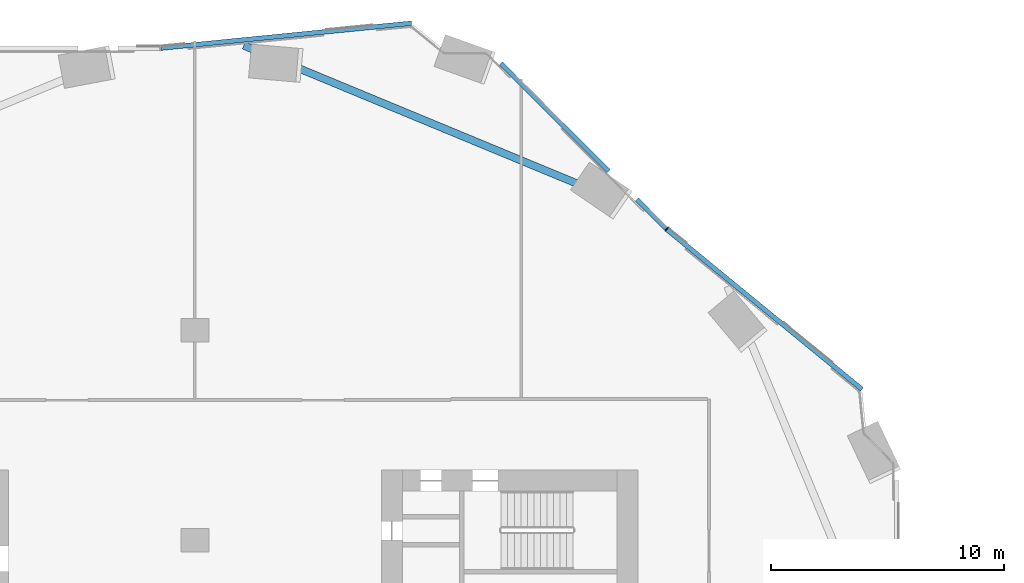
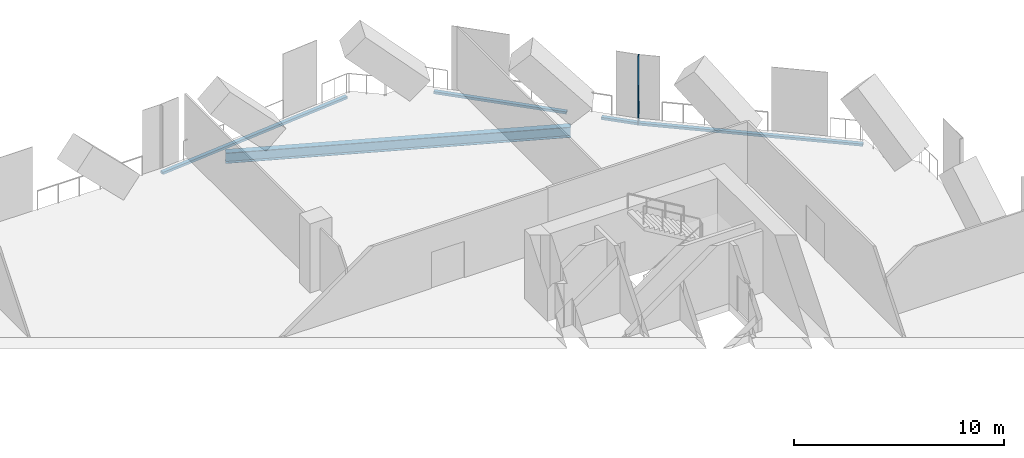
# One storey, part 14 of 32: 5 members, 1 beam, 3 elements without a shape of their own.
"""IFC4 building model written with IfcOpenShell, lengths in metres."""

from ifc_helpers import new_model, si_unit, direction, frame, origin, origin_2d, place, context, subcontext, project, spatial, rectangle, i_section, extrude, material, material_profile, profile_set, type_object, element, aggregate, save


model = new_model("IFC4")

# Units and contexts
model_context = context("Model", 3, precision=1e-05, world=origin(), true_north=direction((0.0, 1.0)))
body_context = subcontext(model_context, "Body", "Model", "MODEL_VIEW")
ifc_project = project(units=[si_unit("LENGTHUNIT", "METRE"), si_unit("AREAUNIT", "SQUARE_METRE"), si_unit("VOLUMEUNIT", "CUBIC_METRE"), si_unit("PLANEANGLEUNIT", "RADIAN"), si_unit("MASSUNIT", "GRAM", prefix="KILO")], contexts=[model_context])

# Site, building, storey
site_placement = place(None, origin())
site = spatial("IfcSite", under=ifc_project, at=site_placement, CompositionType="ELEMENT")
building_placement = place(site_placement, origin())
building = spatial("IfcBuilding", under=site, at=building_placement, Name="Orlundy Tower", CompositionType="ELEMENT")
storey_placement = place(building_placement, frame((0.0, 0.0, 33.300048828125)))
storey = spatial("IfcBuildingStorey", under=building, at=storey_placement, Name="L06", CompositionType="ELEMENT", Elevation=33.300048828125)

# Beam
ifc_material_1 = material(Name="Steel ASTM A992 Gr 50", Category="steel")
ifc_material_profile_1 = material_profile(ifc_material_1, i_section(OverallWidth=0.32373046875, OverallDepth=0.611083984375, WebThickness=0.0126953125, FlangeThickness=0.01904296875, at=origin_2d()), Name="W24X104")
ifc_profile_set_1 = profile_set([ifc_material_profile_1], Name="Steel ASTM A992 Gr 50")
beam_type = type_object("IfcBeamType", Name="CANTILEVER GIRDER beam W24X104", PredefinedType="BEAM", material=ifc_profile_set_1)
beam_placement = place(storey_placement, frame((2.096923828125, 30.212646484375, -0.7255859375), z_axis=(0.923880677784, -0.382680667422, 0.0), x_axis=(0.382680667422, 0.923880677784, 0.0)))
element("IfcBeam", 1, at=beam_placement, inside=storey, type_object=beam_type, Name="Cantilever girder C-H21 L06", PredefinedType="BEAM", context=body_context, shape_type="SweptSolid", body=[
    extrude(i_section(OverallWidth=0.32373046875, OverallDepth=0.611083984375, WebThickness=0.0126953125, FlangeThickness=0.01904296875, at=origin_2d()), origin(), (0.0, 0.0, 1.0), 16.565673828125),
])

# Curtain wall, member
ifc_material_2 = material(Name="Aluminium bronze anodised", Category="aluminium")
curtain_wall_type = type_object("IfcCurtainWallType", Name="CW5 wall", PredefinedType="NOTDEFINED", material=ifc_material_2)
curtain_wall_1_placement = place(storey_placement, origin())
curtain_wall_1 = element("IfcCurtainWall", 2, at=curtain_wall_1_placement, inside=storey, type_object=curtain_wall_type, Name="CW5 run 011", PredefinedType="NOTDEFINED")
ifc_material_3 = material(Name="Aluminium bronze anodised", Category="aluminium")
ifc_material_profile_2 = material_profile(ifc_material_3, rectangle(XDim=0.199951171875, YDim=0.050048828125, at=origin_2d()), Name="CW5 mullion 50x200")
ifc_profile_set_2 = profile_set([ifc_material_profile_2], Name="Aluminium bronze anodised")
member_type_1 = type_object("IfcMemberType", Name="CW5 mullion 50x200", PredefinedType="MULLION", material=ifc_profile_set_2)
member_1_placement = place(storey_placement, frame((20.231201171875, 22.336181640625, -0.420166015625), z_axis=(0.0, 0.0, 1.0), x_axis=(0.671281850011, 0.741202184189, 0.0)))
member_1 = element("IfcMember", 3, at=member_1_placement, type_object=member_type_1, Name="CW5 mullion 17", PredefinedType="MULLION", context=body_context, shape_type="SweptSolid", body=[
    extrude(rectangle(XDim=0.199951171875, YDim=0.050048828125, at=origin_2d()), origin(), (0.0, 0.0, 1.0), 4.0),
])

curtain_wall_2_placement = place(storey_placement, origin())
curtain_wall_2 = element("IfcCurtainWall", 4, at=curtain_wall_2_placement, inside=storey, type_object=curtain_wall_type, Name="CW5 run 07", PredefinedType="NOTDEFINED")
ifc_material_4 = material(Name="Aluminium bronze anodised", Category="aluminium")
ifc_material_profile_3 = material_profile(ifc_material_4, rectangle(XDim=0.199951171875, YDim=0.139892578125, at=origin_2d()), Name="CW5 transom 200x140")
ifc_profile_set_3 = profile_set([ifc_material_profile_3], Name="Aluminium bronze anodised")
member_type_2 = type_object("IfcMemberType", Name="CW5 transom 200x140", PredefinedType="USERDEFINED", material=ifc_profile_set_3)
member_2_placement = place(storey_placement, frame((-1.4609375, 30.1025390625, -0.35009765625), z_axis=(0.9951131672, 0.098740996886, 0.0), x_axis=(-0.098740996886, 0.9951131672, 0.0)))
member_2 = element("IfcMember", 5, at=member_2_placement, type_object=member_type_2, Name="CW5 transom", ObjectType="TRANSOM", PredefinedType="USERDEFINED", context=body_context, shape_type="SweptSolid", body=[
    extrude(rectangle(XDim=0.199951171875, YDim=0.139892578125, at=origin_2d()), origin(), (0.0, 0.0, 1.0), 10.807373046875),
])
aggregate(curtain_wall_2, [member_2])

# Curtain wall, members
curtain_wall_3_placement = place(storey_placement, origin())
curtain_wall_3 = element("IfcCurtainWall", 6, at=curtain_wall_3_placement, inside=storey, type_object=curtain_wall_type, Name="CW5 run 010", PredefinedType="NOTDEFINED")
member_3_placement = place(storey_placement, frame((13.118408203125, 29.448974609375, -0.35009765625), z_axis=(0.707125463251, -0.707088098629, 0.0), x_axis=(0.707088098629, 0.707125463251, 0.0)))
member_3 = element("IfcMember", 7, at=member_3_placement, type_object=member_type_2, Name="CW5 transom", ObjectType="TRANSOM", PredefinedType="USERDEFINED", context=body_context, shape_type="SweptSolid", body=[
    extrude(rectangle(XDim=0.199951171875, YDim=0.139892578125, at=origin_2d()), origin(), (0.0, 0.0, 1.0), 6.533935546875),
])
member_4_placement = place(storey_placement, frame((18.9521484375, 23.615234375, -0.35009765625), z_axis=(0.707175209771, -0.70703834598, 0.0), x_axis=(0.70703834598, 0.707175209771, 0.0)))
member_4 = element("IfcMember", 8, at=member_4_placement, type_object=member_type_2, Name="CW5 transom", ObjectType="TRANSOM", PredefinedType="USERDEFINED", context=body_context, shape_type="SweptSolid", body=[
    extrude(rectangle(XDim=0.199951171875, YDim=0.139892578125, at=origin_2d()), origin(), (0.0, 0.0, 1.0), 1.783935546875),
])
aggregate(curtain_wall_3, [member_3, member_4])

# Member
member_5_placement = place(storey_placement, frame((20.25048828125, 22.3203125, -0.35009765625), z_axis=(0.773491203786, -0.633807035039, 0.0), x_axis=(0.633807035039, 0.773491203786, 0.0)))
member_5 = element("IfcMember", 9, at=member_5_placement, type_object=member_type_2, Name="CW5 transom", ObjectType="TRANSOM", PredefinedType="USERDEFINED", context=body_context, shape_type="SweptSolid", body=[
    extrude(rectangle(XDim=0.199951171875, YDim=0.139892578125, at=origin_2d()), origin(), (0.0, 0.0, 1.0), 10.81005859375),
])

aggregate(curtain_wall_1, [member_1, member_5])

save(model, "model.ifc")
